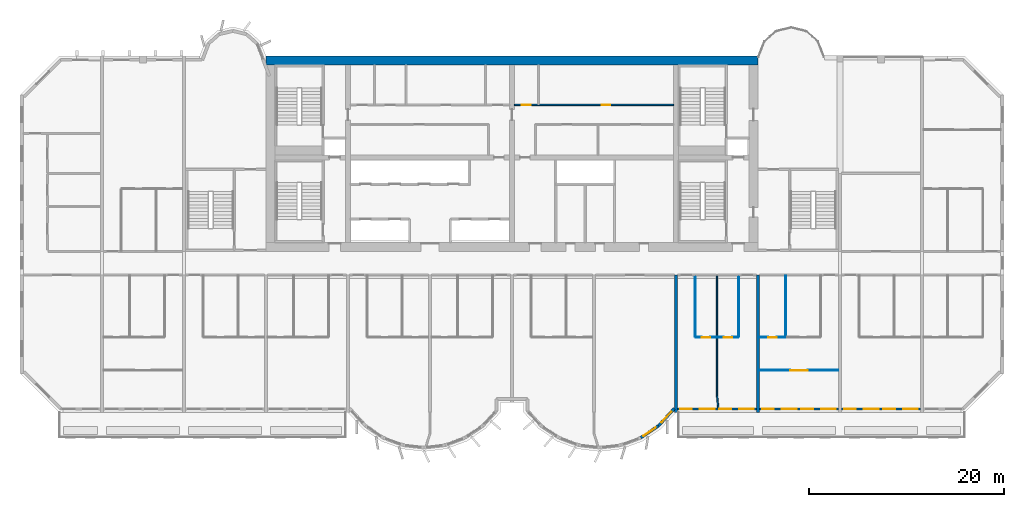
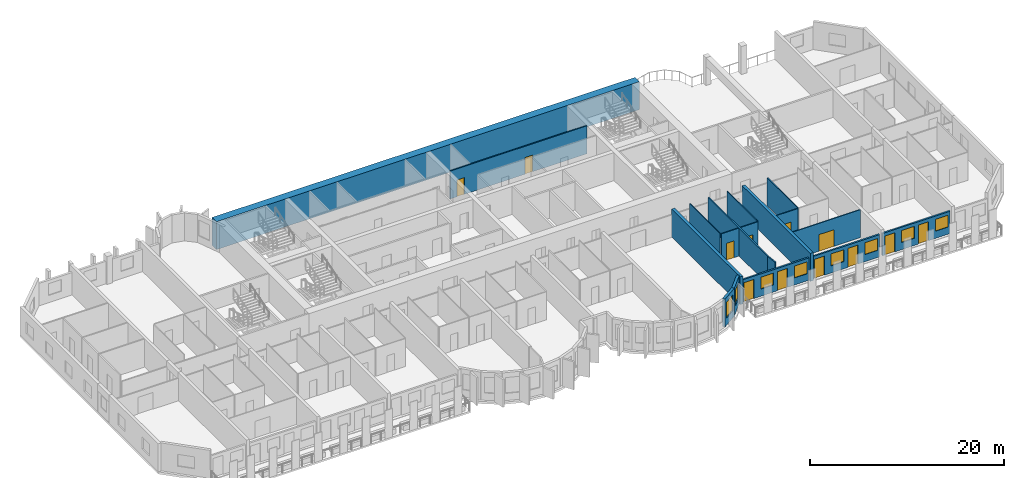
# One storey, part 8 of 14: 18 walls, 12 doors, 8 windows, 20 openings.
"""IFC4 building model written with IfcOpenShell, lengths in metres."""

from ifc_helpers import new_model, si_unit, direction, frame, frame_2d, origin, place, context, subcontext, project, spatial, rectangle, extrude, source, transform, mapped, material, layer, layer_set, type_object, element, fill, save


model = new_model("IFC4")

# Units and contexts
model_context = context("Model", 3, precision=1e-05, world=origin(), true_north=direction((0.0, 1.0)))
body_context = subcontext(model_context, "Body", "Model", "MODEL_VIEW")
ifc_project = project(units=[si_unit("LENGTHUNIT", "METRE"), si_unit("AREAUNIT", "SQUARE_METRE"), si_unit("VOLUMEUNIT", "CUBIC_METRE"), si_unit("PLANEANGLEUNIT", "RADIAN"), si_unit("MASSUNIT", "GRAM", prefix="KILO")], contexts=[model_context])

# Site, building, storey
site_placement = place(None, origin())
site = spatial("IfcSite", under=ifc_project, at=site_placement, CompositionType="ELEMENT")
building_placement = place(site_placement, origin())
building = spatial("IfcBuilding", under=site, at=building_placement, Name="Vanashikhar Sky Hotel", CompositionType="ELEMENT")
storey_placement = place(building_placement, frame((0.0, 0.0, 121.800048828125)))
storey = spatial("IfcBuildingStorey", under=building, at=storey_placement, Name="L29", CompositionType="ELEMENT", Elevation=121.800048828125)

# Walls
ifc_material_1 = material(Name="Concrete M70", Category="concrete")
ifc_layer_1 = layer(ifc_material_1, 0.89990234375)
ifc_layer_set_1 = layer_set([ifc_layer_1], Name="RC core shell wall 900 Concrete M70")
wall_type_1 = type_object("IfcWallType", Name="RC core shell wall 900 Concrete M70", PredefinedType="SHEAR", material=ifc_layer_set_1)
shared_shape_1 = source(origin(), body_context, "Body", "SweptSolid", [
    extrude(rectangle(XDim=50.400146484375, YDim=0.89990234375, at=frame_2d((25.2001953125, 0.0))), origin(), (0.0, 0.0, 1.0), 3.52001953125),
])
wall_1_placement = place(storey_placement, frame((25.199951171875, 41.550048828125, 0.0), z_axis=(0.0, 0.0, 1.0), x_axis=(1.0, 0.0, 0.0)))
element("IfcWall", 1, at=wall_1_placement, inside=storey, type_object=wall_type_1, Name="KW-L29-KN", PredefinedType="SHEAR", context=body_context, shape_type="MappedRepresentation", body=[
    mapped(shared_shape_1, transform((0.0, 0.0, 0.0), scale=1.0)),
])
ifc_layer_2 = layer(ifc_material_1, 0.35009765625)
ifc_layer_set_2 = layer_set([ifc_layer_2], Name="RC shear wall 350 Concrete M70")
wall_type_2 = type_object("IfcWallType", Name="RC shear wall 350 Concrete M70", PredefinedType="SHEAR", material=ifc_layer_set_2)
shared_shape_2 = source(origin(), body_context, "Body", "SweptSolid", [
    extrude(rectangle(XDim=14.10009765625, YDim=0.35009765625, at=frame_2d((7.050048828125, 0.0))), origin(), (0.0, 0.0, 1.0), 3.52001953125),
])
for number, where, z_axis, x_axis, name in (
    (2, (67.199951171875, 5.5, 0.0), (0.0, 0.0, 1.0), (0.0, 1.0, 0.0), "CW-L29-XW09-1"),
    (3, (75.60009765625, 5.5, 0.0), (0.0, 0.0, 1.0), (0.0, 1.0, 0.0), "CW-L29-XW10-1"),
):
    element("IfcWall", number, at=place(storey_placement, frame(where, z_axis=z_axis, x_axis=x_axis)), inside=storey, type_object=wall_type_2, Name=name, PredefinedType="SHEAR", context=body_context, shape_type="MappedRepresentation", body=[
        mapped(shared_shape_2, transform((0.0, 0.0, 0.0), scale=1.0)),
    ])

# Wall, opening, window
ifc_material_2 = material(Name="Concrete M50", Category="concrete")
ifc_layer_3 = layer(ifc_material_2, 0.300048828125)
ifc_layer_set_3 = layer_set([ifc_layer_3], Name="Lobe wall 300")
wall_type_3 = type_object("IfcWallType", Name="Lobe wall 300", PredefinedType="SOLIDWALL", material=ifc_layer_set_3)
shared_shape_3 = source(origin(), body_context, "Body", "SweptSolid", [
    extrude(rectangle(XDim=2.398193359375, YDim=0.300048828125, at=frame_2d((1.19921875, 0.0))), origin(), (0.0, 0.0, 1.0), 3.52001953125),
])
wall_2_placement = place(storey_placement, frame((65.404296875, 4.13134765625, 0.0), z_axis=(0.0, 0.0, 1.0), x_axis=(0.675374189419, 0.737475222815, 0.0)))
wall_2 = element("IfcWall", 4, at=wall_2_placement, inside=storey, type_object=wall_type_3, Name="Lobe wall", PredefinedType="SOLIDWALL", context=body_context, shape_type="MappedRepresentation", body=[
    mapped(shared_shape_3, transform((0.0, 0.0, 0.0), scale=1.0)),
])
shared_shape_4 = source(origin(), body_context, "Body", "SweptSolid", [
    extrude(rectangle(XDim=1.5, YDim=2.0, at=frame_2d((0.75, 1.0))), frame((0.0, 0.16015625, 0.0), z_axis=(0.0, -1.0, 0.0), x_axis=(1.0, 0.0, 0.0)), (0.0, 0.0, 1.0), 0.320068359375),
])
opening_1_placement = place(wall_2_placement, frame((0.44921875, 0.0, 0.89990234375)))
opening_1 = element("IfcOpeningElement", 5, at=opening_1_placement, cuts=wall_2, Name="Opening WN-2", PredefinedType="OPENING", context=body_context, shape_type="MappedRepresentation", body=[
    mapped(shared_shape_4, transform((0.0, 0.0, 0.0), scale=1.0)),
])
ifc_material_3 = material(Name="Glass", Category="glass")
window_type_1 = type_object("IfcWindowType", Name="Lobe window 1500 x 2000", PartitioningType="SINGLE_PANEL", PredefinedType="WINDOW", material=ifc_material_3)
shared_shape_5 = source(origin(), body_context, "Body", "SweptSolid", [
    extrude(rectangle(XDim=1.5, YDim=2.0, at=frame_2d((0.75, 1.0))), frame((0.0, 0.030029296875, 0.0), z_axis=(0.0, -1.0, 0.0), x_axis=(1.0, 0.0, 0.0)), (0.0, 0.0, 1.0), 0.06005859375),
])
window_1_placement = place(opening_1_placement, origin())
window_1 = element("IfcWindow", 6, at=window_1_placement, inside=storey, type_object=window_type_1, Name="Window WN-2", OverallHeight=2.0, OverallWidth=1.5, PartitioningType="SINGLE_PANEL", PredefinedType="WINDOW", context=body_context, shape_type="MappedRepresentation", body=[
    mapped(shared_shape_5, transform((0.0, 0.0, 0.0), scale=1.0)),
])
fill(opening_1, window_1)

shared_shape_6 = source(origin(), body_context, "Body", "SweptSolid", [
    extrude(rectangle(XDim=2.17578125, YDim=0.300048828125, at=frame_2d((1.087890625, 0.0))), origin(), (0.0, 0.0, 1.0), 3.52001953125),
])
wall_3_placement = place(storey_placement, frame((63.59912109375, 2.91650390625, 0.0), z_axis=(0.0, 0.0, 1.0), x_axis=(0.829625727223, 0.558319937607, 0.0)))
wall_3 = element("IfcWall", 7, at=wall_3_placement, inside=storey, type_object=wall_type_3, Name="Lobe wall", PredefinedType="SOLIDWALL", context=body_context, shape_type="MappedRepresentation", body=[
    mapped(shared_shape_6, transform((0.0, 0.0, 0.0), scale=1.0)),
])
opening_2_placement = place(wall_3_placement, frame((0.337890625, 0.0, 0.89990234375)))
opening_2 = element("IfcOpeningElement", 8, at=opening_2_placement, cuts=wall_3, Name="Opening WN-2", PredefinedType="OPENING", context=body_context, shape_type="MappedRepresentation", body=[
    mapped(shared_shape_4, transform((0.0, 0.0, 0.0), scale=1.0)),
])
window_2_placement = place(opening_2_placement, origin())
window_2 = element("IfcWindow", 9, at=window_2_placement, inside=storey, type_object=window_type_1, Name="Window WN-2", OverallHeight=2.0, OverallWidth=1.5, PartitioningType="SINGLE_PANEL", PredefinedType="WINDOW", context=body_context, shape_type="MappedRepresentation", body=[
    mapped(shared_shape_5, transform((0.0, 0.0, 0.0), scale=1.0)),
])
fill(opening_2, window_2)

# Wall, openings, windows, doors
ifc_layer_4 = layer(ifc_material_2, 0.199951171875)
ifc_layer_set_4 = layer_set([ifc_layer_4], Name="Front window wall 200")
wall_type_4 = type_object("IfcWallType", Name="Front window wall 200", PredefinedType="SOLIDWALL", material=ifc_layer_set_4)
shared_shape_7 = source(origin(), body_context, "Body", "SweptSolid", [
    extrude(rectangle(XDim=8.050048828125, YDim=0.199951171875, at=frame_2d((4.02490234375, 0.0))), origin(), (0.0, 0.0, 1.0), 2.820068359375),
])
wall_4_placement = place(storey_placement, frame((67.375, 5.85009765625, 0.0), z_axis=(0.0, 0.0, 1.0), x_axis=(1.0, 0.0, 0.0)))
wall_4 = element("IfcWall", 10, at=wall_4_placement, inside=storey, type_object=wall_type_4, Name="Front window wall", PredefinedType="SOLIDWALL", context=body_context, shape_type="MappedRepresentation", body=[
    mapped(shared_shape_7, transform((0.0, 0.0, 0.0), scale=1.0)),
])
shared_shape_8 = source(origin(), body_context, "Body", "SweptSolid", [
    extrude(rectangle(XDim=1.199951171875, YDim=2.39990234375, at=frame_2d((0.60009765625, 1.199951171875))), frame((0.0, 0.10986328125, 0.0), z_axis=(0.0, -1.0, 0.0), x_axis=(1.0, 0.0, 0.0)), (0.0, 0.0, 1.0), 0.219970703125),
])
opening_3_placement = place(wall_4_placement, frame((0.25, 0.0, 0.0)))
opening_3 = element("IfcOpeningElement", 11, at=opening_3_placement, cuts=wall_4, Name="Opening BD-08", PredefinedType="OPENING", context=body_context, shape_type="MappedRepresentation", body=[
    mapped(shared_shape_8, transform((0.0, 0.0, 0.0), scale=1.0)),
])
shared_shape_9 = source(origin(), body_context, "Body", "SweptSolid", [
    extrude(rectangle(XDim=1.5, YDim=1.5, at=frame_2d((0.75, 0.75))), frame((0.0, 0.10986328125, 0.0), z_axis=(0.0, -1.0, 0.0), x_axis=(1.0, 0.0, 0.0)), (0.0, 0.0, 1.0), 0.219970703125),
])
opening_4_placement = place(wall_4_placement, frame((2.27490234375, 0.0, 0.89990234375)))
opening_4 = element("IfcOpeningElement", 12, at=opening_4_placement, cuts=wall_4, Name="Opening WN-1", PredefinedType="OPENING", context=body_context, shape_type="MappedRepresentation", body=[
    mapped(shared_shape_9, transform((0.0, 0.0, 0.0), scale=1.0)),
])
opening_5_placement = place(wall_4_placement, frame((4.27490234375, 0.0, 0.0)))
opening_5 = element("IfcOpeningElement", 13, at=opening_5_placement, cuts=wall_4, Name="Opening BD-09", PredefinedType="OPENING", context=body_context, shape_type="MappedRepresentation", body=[
    mapped(shared_shape_8, transform((0.0, 0.0, 0.0), scale=1.0)),
])
opening_6_placement = place(wall_4_placement, frame((6.300048828125, 0.0, 0.89990234375)))
opening_6 = element("IfcOpeningElement", 14, at=opening_6_placement, cuts=wall_4, Name="Opening WN-1", PredefinedType="OPENING", context=body_context, shape_type="MappedRepresentation", body=[
    mapped(shared_shape_9, transform((0.0, 0.0, 0.0), scale=1.0)),
])
window_type_2 = type_object("IfcWindowType", Name="Window 1500 x 1500", PartitioningType="SINGLE_PANEL", PredefinedType="WINDOW", material=ifc_material_3)
shared_shape_10 = source(origin(), body_context, "Body", "SweptSolid", [
    extrude(rectangle(XDim=1.5, YDim=1.5, at=frame_2d((0.75, 0.75))), frame((0.0, 0.030029296875, 0.0), z_axis=(0.0, -1.0, 0.0), x_axis=(1.0, 0.0, 0.0)), (0.0, 0.0, 1.0), 0.06005859375),
])
window_3_placement = place(opening_4_placement, origin())
window_3 = element("IfcWindow", 15, at=window_3_placement, inside=storey, type_object=window_type_2, Name="Window WN-1", OverallHeight=1.5, OverallWidth=1.5, PartitioningType="SINGLE_PANEL", PredefinedType="WINDOW", context=body_context, shape_type="MappedRepresentation", body=[
    mapped(shared_shape_10, transform((0.0, 0.0, 0.0), scale=1.0)),
])
fill(opening_4, window_3)
window_4_placement = place(opening_6_placement, origin())
window_4 = element("IfcWindow", 16, at=window_4_placement, inside=storey, type_object=window_type_2, Name="Window WN-1", OverallHeight=1.5, OverallWidth=1.5, PartitioningType="SINGLE_PANEL", PredefinedType="WINDOW", context=body_context, shape_type="MappedRepresentation", body=[
    mapped(shared_shape_10, transform((0.0, 0.0, 0.0), scale=1.0)),
])
fill(opening_6, window_4)
ifc_material_4 = material(Name="Aluminium", Category="aluminium")
door_type_1 = type_object("IfcDoorType", Name="Balcony sliding door 1200 x 2400", OperationType="NOTDEFINED", PredefinedType="DOOR", material=ifc_material_4)
shared_shape_11 = source(origin(), body_context, "Body", "SweptSolid", [
    extrude(rectangle(XDim=1.199951171875, YDim=2.39990234375, at=frame_2d((0.60009765625, 1.199951171875))), frame((0.0, 0.02490234375, 0.0), z_axis=(0.0, -1.0, 0.0), x_axis=(1.0, 0.0, 0.0)), (0.0, 0.0, 1.0), 0.050048828125),
])
door_1_placement = place(opening_3_placement, origin())
door_1 = element("IfcDoor", 17, at=door_1_placement, inside=storey, type_object=door_type_1, Name="Balcony sliding door", OperationType="SLIDING_TO_RIGHT", OverallHeight=2.39990234375, OverallWidth=1.199951171875, PredefinedType="DOOR", context=body_context, shape_type="MappedRepresentation", body=[
    mapped(shared_shape_11, transform((0.0, 0.0, 0.0), scale=1.0)),
])
fill(opening_3, door_1)
door_2_placement = place(opening_5_placement, origin())
door_2 = element("IfcDoor", 18, at=door_2_placement, inside=storey, type_object=door_type_1, Name="Balcony sliding door", OperationType="SLIDING_TO_LEFT", OverallHeight=2.39990234375, OverallWidth=1.199951171875, PredefinedType="DOOR", context=body_context, shape_type="MappedRepresentation", body=[
    mapped(shared_shape_11, transform((0.0, 0.0, 0.0), scale=1.0)),
])
fill(opening_5, door_2)

wall_5_placement = place(storey_placement, frame((75.77490234375, 5.85009765625, 0.0), z_axis=(0.0, 0.0, 1.0), x_axis=(1.0, 0.0, 0.0)))
wall_5 = element("IfcWall", 19, at=wall_5_placement, inside=storey, type_object=wall_type_4, Name="Front window wall", PredefinedType="SOLIDWALL", context=body_context, shape_type="MappedRepresentation", body=[
    mapped(shared_shape_7, transform((0.0, 0.0, 0.0), scale=1.0)),
])
opening_7_placement = place(wall_5_placement, frame((0.25, 0.0, 0.0)))
opening_7 = element("IfcOpeningElement", 20, at=opening_7_placement, cuts=wall_5, Name="Opening BD-10", PredefinedType="OPENING", context=body_context, shape_type="MappedRepresentation", body=[
    mapped(shared_shape_8, transform((0.0, 0.0, 0.0), scale=1.0)),
])
opening_8_placement = place(wall_5_placement, frame((2.27490234375, 0.0, 0.89990234375)))
opening_8 = element("IfcOpeningElement", 21, at=opening_8_placement, cuts=wall_5, Name="Opening WN-1", PredefinedType="OPENING", context=body_context, shape_type="MappedRepresentation", body=[
    mapped(shared_shape_9, transform((0.0, 0.0, 0.0), scale=1.0)),
])
opening_9_placement = place(wall_5_placement, frame((4.27490234375, 0.0, 0.0)))
opening_9 = element("IfcOpeningElement", 22, at=opening_9_placement, cuts=wall_5, Name="Opening BD-11", PredefinedType="OPENING", context=body_context, shape_type="MappedRepresentation", body=[
    mapped(shared_shape_8, transform((0.0, 0.0, 0.0), scale=1.0)),
])
opening_10_placement = place(wall_5_placement, frame((6.300048828125, 0.0, 0.89990234375)))
opening_10 = element("IfcOpeningElement", 23, at=opening_10_placement, cuts=wall_5, Name="Opening WN-1", PredefinedType="OPENING", context=body_context, shape_type="MappedRepresentation", body=[
    mapped(shared_shape_9, transform((0.0, 0.0, 0.0), scale=1.0)),
])
window_5_placement = place(opening_8_placement, origin())
window_5 = element("IfcWindow", 24, at=window_5_placement, inside=storey, type_object=window_type_2, Name="Window WN-1", OverallHeight=1.5, OverallWidth=1.5, PartitioningType="SINGLE_PANEL", PredefinedType="WINDOW", context=body_context, shape_type="MappedRepresentation", body=[
    mapped(shared_shape_10, transform((0.0, 0.0, 0.0), scale=1.0)),
])
fill(opening_8, window_5)
window_6_placement = place(opening_10_placement, origin())
window_6 = element("IfcWindow", 25, at=window_6_placement, inside=storey, type_object=window_type_2, Name="Window WN-1", OverallHeight=1.5, OverallWidth=1.5, PartitioningType="SINGLE_PANEL", PredefinedType="WINDOW", context=body_context, shape_type="MappedRepresentation", body=[
    mapped(shared_shape_10, transform((0.0, 0.0, 0.0), scale=1.0)),
])
fill(opening_10, window_6)
door_3_placement = place(opening_7_placement, origin())
door_3 = element("IfcDoor", 26, at=door_3_placement, inside=storey, type_object=door_type_1, Name="Balcony sliding door", OperationType="SLIDING_TO_RIGHT", OverallHeight=2.39990234375, OverallWidth=1.199951171875, PredefinedType="DOOR", context=body_context, shape_type="MappedRepresentation", body=[
    mapped(shared_shape_11, transform((0.0, 0.0, 0.0), scale=1.0)),
])
fill(opening_7, door_3)
door_4_placement = place(opening_9_placement, origin())
door_4 = element("IfcDoor", 27, at=door_4_placement, inside=storey, type_object=door_type_1, Name="Balcony sliding door", OperationType="SLIDING_TO_LEFT", OverallHeight=2.39990234375, OverallWidth=1.199951171875, PredefinedType="DOOR", context=body_context, shape_type="MappedRepresentation", body=[
    mapped(shared_shape_11, transform((0.0, 0.0, 0.0), scale=1.0)),
])
fill(opening_9, door_4)

wall_6_placement = place(storey_placement, frame((84.175048828125, 5.85009765625, 0.0), z_axis=(0.0, 0.0, 1.0), x_axis=(1.0, 0.0, 0.0)))
wall_6 = element("IfcWall", 28, at=wall_6_placement, inside=storey, type_object=wall_type_4, Name="Front window wall", PredefinedType="SOLIDWALL", context=body_context, shape_type="MappedRepresentation", body=[
    mapped(shared_shape_7, transform((0.0, 0.0, 0.0), scale=1.0)),
])
opening_11_placement = place(wall_6_placement, frame((0.25, 0.0, 0.0)))
opening_11 = element("IfcOpeningElement", 29, at=opening_11_placement, cuts=wall_6, Name="Opening BD-12", PredefinedType="OPENING", context=body_context, shape_type="MappedRepresentation", body=[
    mapped(shared_shape_8, transform((0.0, 0.0, 0.0), scale=1.0)),
])
opening_12_placement = place(wall_6_placement, frame((2.27490234375, 0.0, 0.89990234375)))
opening_12 = element("IfcOpeningElement", 30, at=opening_12_placement, cuts=wall_6, Name="Opening WN-1", PredefinedType="OPENING", context=body_context, shape_type="MappedRepresentation", body=[
    mapped(shared_shape_9, transform((0.0, 0.0, 0.0), scale=1.0)),
])
opening_13_placement = place(wall_6_placement, frame((4.27490234375, 0.0, 0.0)))
opening_13 = element("IfcOpeningElement", 31, at=opening_13_placement, cuts=wall_6, Name="Opening BD-13", PredefinedType="OPENING", context=body_context, shape_type="MappedRepresentation", body=[
    mapped(shared_shape_8, transform((0.0, 0.0, 0.0), scale=1.0)),
])
opening_14_placement = place(wall_6_placement, frame((6.300048828125, 0.0, 0.89990234375)))
opening_14 = element("IfcOpeningElement", 32, at=opening_14_placement, cuts=wall_6, Name="Opening WN-1", PredefinedType="OPENING", context=body_context, shape_type="MappedRepresentation", body=[
    mapped(shared_shape_9, transform((0.0, 0.0, 0.0), scale=1.0)),
])
window_7_placement = place(opening_12_placement, origin())
window_7 = element("IfcWindow", 33, at=window_7_placement, inside=storey, type_object=window_type_2, Name="Window WN-1", OverallHeight=1.5, OverallWidth=1.5, PartitioningType="SINGLE_PANEL", PredefinedType="WINDOW", context=body_context, shape_type="MappedRepresentation", body=[
    mapped(shared_shape_10, transform((0.0, 0.0, 0.0), scale=1.0)),
])
fill(opening_12, window_7)
window_8_placement = place(opening_14_placement, origin())
window_8 = element("IfcWindow", 34, at=window_8_placement, inside=storey, type_object=window_type_2, Name="Window WN-1", OverallHeight=1.5, OverallWidth=1.5, PartitioningType="SINGLE_PANEL", PredefinedType="WINDOW", context=body_context, shape_type="MappedRepresentation", body=[
    mapped(shared_shape_10, transform((0.0, 0.0, 0.0), scale=1.0)),
])
fill(opening_14, window_8)
door_5_placement = place(opening_11_placement, origin())
door_5 = element("IfcDoor", 35, at=door_5_placement, inside=storey, type_object=door_type_1, Name="Balcony sliding door", OperationType="SLIDING_TO_RIGHT", OverallHeight=2.39990234375, OverallWidth=1.199951171875, PredefinedType="DOOR", context=body_context, shape_type="MappedRepresentation", body=[
    mapped(shared_shape_11, transform((0.0, 0.0, 0.0), scale=1.0)),
])
fill(opening_11, door_5)
door_6_placement = place(opening_13_placement, origin())
door_6 = element("IfcDoor", 36, at=door_6_placement, inside=storey, type_object=door_type_1, Name="Balcony sliding door", OperationType="SLIDING_TO_LEFT", OverallHeight=2.39990234375, OverallWidth=1.199951171875, PredefinedType="DOOR", context=body_context, shape_type="MappedRepresentation", body=[
    mapped(shared_shape_11, transform((0.0, 0.0, 0.0), scale=1.0)),
])
fill(opening_13, door_6)

# Wall, openings, doors
ifc_material_5 = material(Name="Gypsum board partition")
ifc_layer_5 = layer(ifc_material_5, 0.14990234375)
ifc_layer_set_5 = layer_set([ifc_layer_5], Name="Service partition 150")
wall_type_5 = type_object("IfcWallType", Name="Service partition 150", PredefinedType="PARTITIONING", material=ifc_layer_set_5)
shared_shape_12 = source(origin(), body_context, "Body", "SweptSolid", [
    extrude(rectangle(XDim=16.300048828125, YDim=0.14990234375, at=frame_2d((8.14990234375, 0.0))), origin(), (0.0, 0.0, 1.0), 3.52001953125),
])
wall_7_placement = place(storey_placement, frame((66.949951171875, 37.0, 0.0), z_axis=(0.0, 0.0, 1.0), x_axis=(-1.0, 0.0, 0.0)))
wall_7 = element("IfcWall", 37, at=wall_7_placement, inside=storey, type_object=wall_type_5, Name="Service partition 150", PredefinedType="PARTITIONING", context=body_context, shape_type="MappedRepresentation", body=[
    mapped(shared_shape_12, transform((0.0, 0.0, 0.0), scale=1.0)),
])
shared_shape_13 = source(origin(), body_context, "Body", "SweptSolid", [
    extrude(rectangle(XDim=0.89990234375, YDim=2.10009765625, at=frame_2d((0.449951171875, 1.050048828125))), frame((0.0, 0.0849609375, 0.0), z_axis=(0.0, -1.0, 0.0), x_axis=(1.0, 0.0, 0.0)), (0.0, 0.0, 1.0), 0.169921875),
])
opening_15_placement = place(wall_7_placement, frame((6.47802734375, 0.0, 0.0)))
opening_15 = element("IfcOpeningElement", 38, at=opening_15_placement, cuts=wall_7, Name="Opening DC-4-A", PredefinedType="OPENING", context=body_context, shape_type="MappedRepresentation", body=[
    mapped(shared_shape_13, transform((0.0, 0.0, 0.0), scale=1.0)),
])
opening_16_placement = place(wall_7_placement, frame((14.626953125, 0.0, 0.0)))
opening_16 = element("IfcOpeningElement", 39, at=opening_16_placement, cuts=wall_7, Name="Opening DC-4-A", PredefinedType="OPENING", context=body_context, shape_type="MappedRepresentation", body=[
    mapped(shared_shape_13, transform((0.0, 0.0, 0.0), scale=1.0)),
])
ifc_material_6 = material(Name="Steel", Category="steel")
door_type_2 = type_object("IfcDoorType", Name="Service door 900 FD60", OperationType="NOTDEFINED", PredefinedType="DOOR", material=ifc_material_6)
shared_shape_14 = source(origin(), body_context, "Body", "SweptSolid", [
    extrude(rectangle(XDim=0.89990234375, YDim=2.10009765625, at=frame_2d((0.449951171875, 1.050048828125))), frame((0.0, 0.02490234375, 0.0), z_axis=(0.0, -1.0, 0.0), x_axis=(1.0, 0.0, 0.0)), (0.0, 0.0, 1.0), 0.050048828125),
])
door_7_placement = place(opening_15_placement, origin())
door_7 = element("IfcDoor", 40, at=door_7_placement, inside=storey, type_object=door_type_2, Name="Service door 900 FD60", OperationType="SINGLE_SWING_LEFT", OverallHeight=2.10009765625, OverallWidth=0.89990234375, PredefinedType="DOOR", context=body_context, shape_type="MappedRepresentation", body=[
    mapped(shared_shape_14, transform((0.0, 0.0, 0.0), scale=1.0)),
])
fill(opening_15, door_7)
door_8_placement = place(opening_16_placement, origin())
door_8 = element("IfcDoor", 41, at=door_8_placement, inside=storey, type_object=door_type_2, Name="Service door 900 FD60", OperationType="SINGLE_SWING_LEFT", OverallHeight=2.10009765625, OverallWidth=0.89990234375, PredefinedType="DOOR", context=body_context, shape_type="MappedRepresentation", body=[
    mapped(shared_shape_14, transform((0.0, 0.0, 0.0), scale=1.0)),
])
fill(opening_16, door_8)

# Walls
ifc_material_7 = material(Name="Gypsum plasterboard partition")
ifc_layer_6 = layer(ifc_material_7, 0.10009765625)
ifc_layer_set_6 = layer_set([ifc_layer_6], Name="Wet room partition 100")
wall_type_6 = type_object("IfcWallType", Name="Wet room partition 100", PredefinedType="PARTITIONING", material=ifc_layer_set_6)
shared_shape_15 = source(origin(), body_context, "Body", "SweptSolid", [
    extrude(rectangle(XDim=6.25, YDim=0.10009765625, at=frame_2d((3.125, 0.0))), origin(), (0.0, 0.0, 1.0), 3.52001953125),
])
for number, where, z_axis, x_axis, name in (
    (42, (69.175048828125, 13.27490234375, 0.0), (0.0, 0.0, 1.0), (0.0, 1.0, 0.0), "W-L29-PW034"),
    (43, (73.625, 13.27490234375, 0.0), (0.0, 0.0, 1.0), (0.0, 1.0, 0.0), "W-L29-PW037"),
    (44, (78.425048828125, 13.27490234375, 0.0), (0.0, 0.0, 1.0), (0.0, 1.0, 0.0), "W-L29-PW042"),
):
    element("IfcWall", number, at=place(storey_placement, frame(where, z_axis=z_axis, x_axis=x_axis)), inside=storey, type_object=wall_type_6, Name=name, PredefinedType="PARTITIONING", context=body_context, shape_type="MappedRepresentation", body=[
        mapped(shared_shape_15, transform((0.0, 0.0, 0.0), scale=1.0)),
    ])

# Wall, opening, door
shared_shape_16 = source(origin(), body_context, "Body", "SweptSolid", [
    extrude(rectangle(XDim=2.60009765625, YDim=0.10009765625, at=frame_2d((1.300048828125, 0.0))), origin(), (0.0, 0.0, 1.0), 3.52001953125),
])
wall_8_placement = place(storey_placement, frame((75.77490234375, 13.199951171875, 0.0), z_axis=(0.0, 0.0, 1.0), x_axis=(1.0, 0.0, 0.0)))
wall_8 = element("IfcWall", 45, at=wall_8_placement, inside=storey, type_object=wall_type_6, Name="W-L29-PW044", PredefinedType="PARTITIONING", context=body_context, shape_type="MappedRepresentation", body=[
    mapped(shared_shape_16, transform((0.0, 0.0, 0.0), scale=1.0)),
])
shared_shape_17 = source(origin(), body_context, "Body", "SweptSolid", [
    extrude(rectangle(XDim=0.89990234375, YDim=2.10009765625, at=frame_2d((0.449951171875, 1.050048828125))), frame((0.0, 0.06005859375, 0.0), z_axis=(0.0, -1.0, 0.0), x_axis=(1.0, 0.0, 0.0)), (0.0, 0.0, 1.0), 0.1201171875),
])
opening_17_placement = place(wall_8_placement, frame((0.85009765625, 0.0, 0.0)))
opening_17 = element("IfcOpeningElement", 46, at=opening_17_placement, cuts=wall_8, Name="Opening D-02", PredefinedType="OPENING", context=body_context, shape_type="MappedRepresentation", body=[
    mapped(shared_shape_17, transform((0.0, 0.0, 0.0), scale=1.0)),
])
ifc_material_8 = material(Name="Timber door", Category="wood")
door_type_3 = type_object("IfcDoorType", Name="Internal door 900", OperationType="NOTDEFINED", PredefinedType="DOOR", material=ifc_material_8)
door_9_placement = place(opening_17_placement, origin())
door_9 = element("IfcDoor", 47, at=door_9_placement, inside=storey, type_object=door_type_3, Name="D-L29-027", OperationType="SINGLE_SWING_RIGHT", OverallHeight=2.10009765625, OverallWidth=0.89990234375, PredefinedType="DOOR", context=body_context, shape_type="MappedRepresentation", body=[
    mapped(shared_shape_14, transform((0.0, 0.0, 0.0), scale=1.0)),
])
fill(opening_17, door_9)

shared_shape_18 = source(origin(), body_context, "Body", "SweptSolid", [
    extrude(rectangle(XDim=2.099853515625, YDim=0.10009765625, at=frame_2d((1.0498046875, 0.0))), origin(), (0.0, 0.0, 1.0), 3.52001953125),
])
wall_9_placement = place(storey_placement, frame((69.22509765625, 13.199951171875, 0.0), z_axis=(0.0, 0.0, 1.0), x_axis=(1.0, 0.0, 0.0)))
wall_9 = element("IfcWall", 48, at=wall_9_placement, inside=storey, type_object=wall_type_6, Name="W-L29-PW035", PredefinedType="PARTITIONING", context=body_context, shape_type="MappedRepresentation", body=[
    mapped(shared_shape_18, transform((0.0, 0.0, 0.0), scale=1.0)),
])
opening_18_placement = place(wall_9_placement, frame((0.60009765625, 0.0, 0.0)))
opening_18 = element("IfcOpeningElement", 49, at=opening_18_placement, cuts=wall_9, Name="Opening D-02", PredefinedType="OPENING", context=body_context, shape_type="MappedRepresentation", body=[
    mapped(shared_shape_17, transform((0.0, 0.0, 0.0), scale=1.0)),
])
door_10_placement = place(opening_18_placement, origin())
door_10 = element("IfcDoor", 50, at=door_10_placement, inside=storey, type_object=door_type_3, Name="D-L29-022", OperationType="SINGLE_SWING_LEFT", OverallHeight=2.10009765625, OverallWidth=0.89990234375, PredefinedType="DOOR", context=body_context, shape_type="MappedRepresentation", body=[
    mapped(shared_shape_14, transform((0.0, 0.0, 0.0), scale=1.0)),
])
fill(opening_18, door_10)

wall_10_placement = place(storey_placement, frame((71.47509765625, 13.199951171875, 0.0), z_axis=(0.0, 0.0, 1.0), x_axis=(1.0, 0.0, 0.0)))
wall_10 = element("IfcWall", 51, at=wall_10_placement, inside=storey, type_object=wall_type_6, Name="W-L29-PW038", PredefinedType="PARTITIONING", context=body_context, shape_type="MappedRepresentation", body=[
    mapped(shared_shape_18, transform((0.0, 0.0, 0.0), scale=1.0)),
])
opening_19_placement = place(wall_10_placement, frame((0.60009765625, 0.0, 0.0)))
opening_19 = element("IfcOpeningElement", 52, at=opening_19_placement, cuts=wall_10, Name="Opening D-02", PredefinedType="OPENING", context=body_context, shape_type="MappedRepresentation", body=[
    mapped(shared_shape_17, transform((0.0, 0.0, 0.0), scale=1.0)),
])
door_11_placement = place(opening_19_placement, origin())
door_11 = element("IfcDoor", 53, at=door_11_placement, inside=storey, type_object=door_type_3, Name="D-L29-024", OperationType="SINGLE_SWING_RIGHT", OverallHeight=2.10009765625, OverallWidth=0.89990234375, PredefinedType="DOOR", context=body_context, shape_type="MappedRepresentation", body=[
    mapped(shared_shape_14, transform((0.0, 0.0, 0.0), scale=1.0)),
])
fill(opening_19, door_11)

# Walls
ifc_layer_7 = layer(ifc_material_7, 0.14990234375)
ifc_layer_set_7 = layer_set([ifc_layer_7], Name="Corridor and demising partition 150")
wall_type_7 = type_object("IfcWallType", Name="Corridor and demising partition 150", PredefinedType="PARTITIONING", material=ifc_layer_set_7)
shared_shape_19 = source(origin(), body_context, "Body", "SweptSolid", [
    extrude(rectangle(XDim=12.27490234375, YDim=0.14990234375, at=frame_2d((6.137451171875, 0.0))), origin(), (0.0, 0.0, 1.0), 3.52001953125),
])
wall_11_placement = place(storey_placement, frame((71.39990234375, 7.25, 0.0), z_axis=(0.0, 0.0, 1.0), x_axis=(0.0, 1.0, 0.0)))
element("IfcWall", 54, at=wall_11_placement, inside=storey, type_object=wall_type_7, Name="W-L29-PW040", PredefinedType="PARTITIONING", context=body_context, shape_type="MappedRepresentation", body=[
    mapped(shared_shape_19, transform((0.0, 0.0, 0.0), scale=1.0)),
])
shared_shape_20 = source(origin(), body_context, "Body", "SweptSolid", [
    extrude(rectangle(XDim=1.306640625, YDim=0.14990234375, at=frame_2d((0.6533203125, 0.0))), origin(), (0.0, 0.0, 1.0), 3.52001953125),
])
wall_12_placement = place(storey_placement, frame((71.530029296875, 5.949951171875, 0.0), z_axis=(0.0, 0.0, 1.0), x_axis=(-0.099596223396, 0.99502793543, 0.0)))
element("IfcWall", 55, at=wall_12_placement, inside=storey, type_object=wall_type_7, Name="W-L29-PW040B0", PredefinedType="PARTITIONING", context=body_context, shape_type="MappedRepresentation", body=[
    mapped(shared_shape_20, transform((0.0, 0.0, 0.0), scale=1.0)),
])

# Wall, opening, door
shared_shape_21 = source(origin(), body_context, "Body", "SweptSolid", [
    extrude(rectangle(XDim=8.050048828125, YDim=0.10009765625, at=frame_2d((4.02490234375, 0.0))), origin(), (0.0, 0.0, 1.0), 3.52001953125),
])
wall_13_placement = place(storey_placement, frame((75.77490234375, 9.802001953125, 0.0), z_axis=(0.0, 0.0, 1.0), x_axis=(1.0, 0.0, 0.0)))
wall_13 = element("IfcWall", 56, at=wall_13_placement, inside=storey, type_object=wall_type_6, Name="W-L29-PW045", PredefinedType="PARTITIONING", context=body_context, shape_type="MappedRepresentation", body=[
    mapped(shared_shape_21, transform((0.0, 0.0, 0.0), scale=1.0)),
])
shared_shape_22 = source(origin(), body_context, "Body", "SweptSolid", [
    extrude(rectangle(XDim=1.800048828125, YDim=2.10009765625, at=frame_2d((0.89990234375, 1.050048828125))), frame((0.0, 0.06005859375, 0.0), z_axis=(0.0, -1.0, 0.0), x_axis=(1.0, 0.0, 0.0)), (0.0, 0.0, 1.0), 0.1201171875),
])
opening_20_placement = place(wall_13_placement, frame((3.125, 0.0, 0.0)))
opening_20 = element("IfcOpeningElement", 57, at=opening_20_placement, cuts=wall_13, Name="Opening D-08", PredefinedType="OPENING", context=body_context, shape_type="MappedRepresentation", body=[
    mapped(shared_shape_22, transform((0.0, 0.0, 0.0), scale=1.0)),
])
door_type_4 = type_object("IfcDoorType", Name="Double leaf door 1800", OperationType="NOTDEFINED", PredefinedType="DOOR", material=ifc_material_8)
shared_shape_23 = source(origin(), body_context, "Body", "SweptSolid", [
    extrude(rectangle(XDim=1.800048828125, YDim=2.10009765625, at=frame_2d((0.89990234375, 1.050048828125))), frame((0.0, 0.02490234375, 0.0), z_axis=(0.0, -1.0, 0.0), x_axis=(1.0, 0.0, 0.0)), (0.0, 0.0, 1.0), 0.050048828125),
])
door_12_placement = place(opening_20_placement, origin())
door_12 = element("IfcDoor", 58, at=door_12_placement, inside=storey, type_object=door_type_4, Name="D-L29-028", OperationType="DOUBLE_DOOR_SINGLE_SWING", OverallHeight=2.10009765625, OverallWidth=1.800048828125, PredefinedType="DOOR", context=body_context, shape_type="MappedRepresentation", body=[
    mapped(shared_shape_23, transform((0.0, 0.0, 0.0), scale=1.0)),
])
fill(opening_20, door_12)

save(model, "model.ifc")
